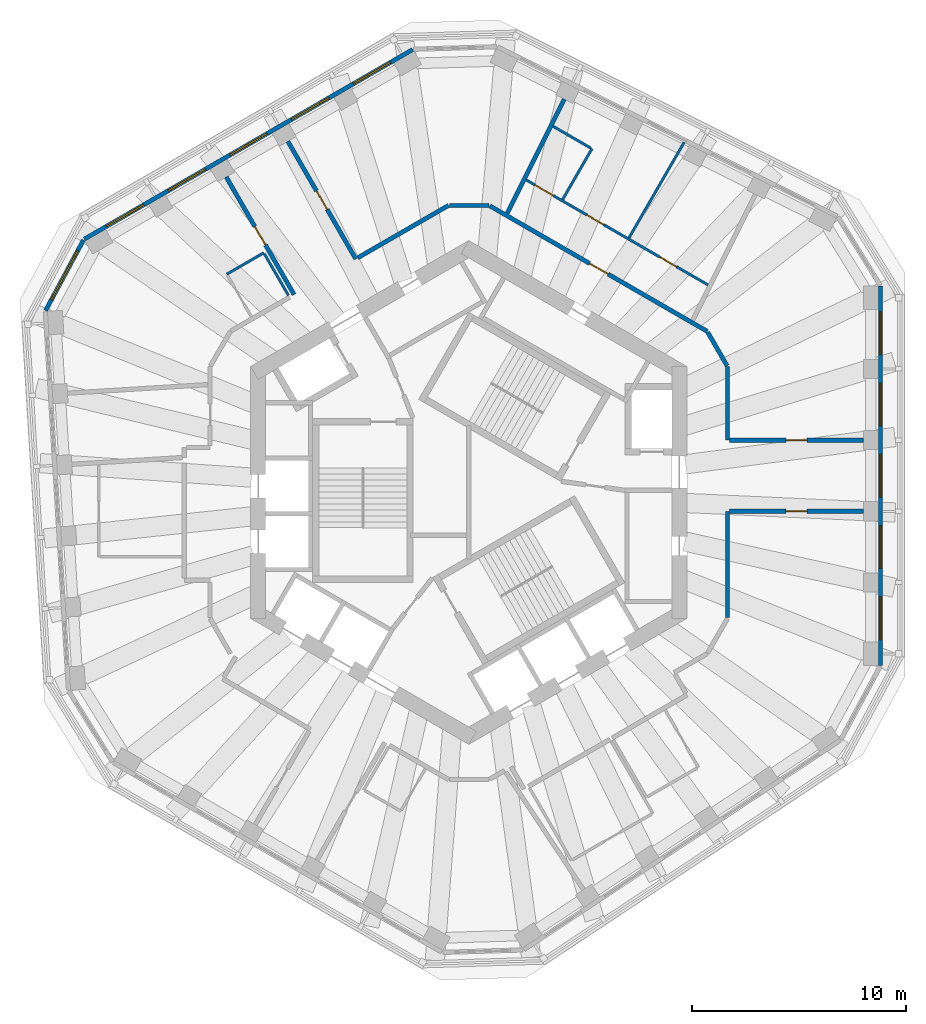
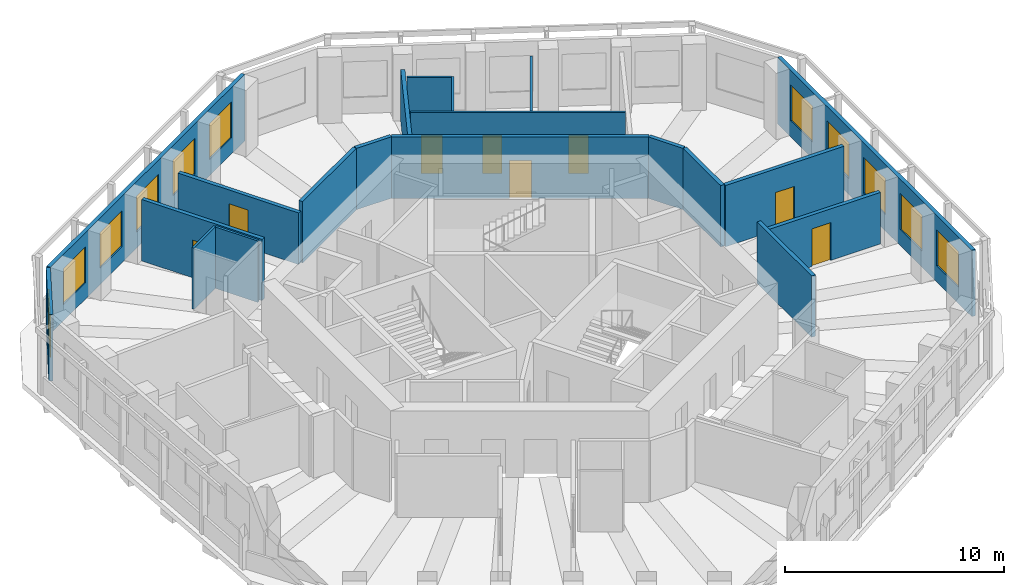
# One storey, part 7 of 11: 20 walls, 11 windows, 8 doors, 19 openings.
"""IFC4 building model written with IfcOpenShell, lengths in metres."""

from ifc_helpers import new_model, si_unit, direction, frame, frame_2d, origin, place, context, subcontext, project, spatial, rectangle, extrude, material, layer, layer_set, type_object, element, fill, save


model = new_model("IFC4")

# Units and contexts
model_context = context("Model", 3, precision=1e-05, world=origin(), true_north=direction((0.0, 1.0)))
body_context = subcontext(model_context, "Body", "Model", "MODEL_VIEW")
ifc_project = project(units=[si_unit("LENGTHUNIT", "METRE"), si_unit("AREAUNIT", "SQUARE_METRE"), si_unit("VOLUMEUNIT", "CUBIC_METRE"), si_unit("PLANEANGLEUNIT", "RADIAN"), si_unit("MASSUNIT", "GRAM", prefix="KILO")], contexts=[model_context])

# Site, building, storey
site_placement = place(None, origin())
site = spatial("IfcSite", under=ifc_project, at=site_placement, CompositionType="ELEMENT")
building_placement = place(site_placement, origin())
building = spatial("IfcBuilding", under=site, at=building_placement, Name="Vanh Sen Convention Tower", CompositionType="ELEMENT")
storey_placement = place(building_placement, frame((0.0, 0.0, 259.800048828125)))
storey = spatial("IfcBuildingStorey", under=building, at=storey_placement, Name="L64", CompositionType="ELEMENT", Elevation=259.800048828125)

# Walls
ifc_material_1 = material(Name="Moisture-resistant gypsum board on steel studs", Category="steel")
ifc_layer_1 = layer(ifc_material_1, 0.1201171875)
ifc_layer_set_1 = layer_set([ifc_layer_1], Name="Moisture-resistant gypsum board on steel studs")
wall_type_1 = type_object("IfcWallType", Name="Bathroom partition 120", PredefinedType="PARTITIONING", material=ifc_layer_set_1)
wall_1_placement = place(storey_placement, frame((-11.318603515625, 10.208251953125, 0.0), z_axis=(0.0, 0.0, 1.0), x_axis=(0.866010750942, 0.50002537861, 0.0)))
element("IfcWall", 1, at=wall_1_placement, inside=storey, type_object=wall_type_1, Name="Bathroom partition 120", PredefinedType="PARTITIONING", context=body_context, shape_type="SweptSolid", body=[
    extrude(rectangle(XDim=2.0, YDim=0.1201171875, at=frame_2d((1.0, 0.0))), origin(), (0.0, 0.0, 1.0), 3.419921875),
])
wall_2_placement = place(storey_placement, frame((-9.556640625, 11.15625, 0.0), z_axis=(0.0, 0.0, 1.0), x_axis=(0.49994888933, -0.866054910533, 0.0)))
element("IfcWall", 2, at=wall_2_placement, inside=storey, type_object=wall_type_1, Name="Bathroom partition 120", PredefinedType="PARTITIONING", context=body_context, shape_type="SweptSolid", body=[
    extrude(rectangle(XDim=2.239990234375, YDim=0.1201171875, at=frame_2d((1.1201171875, 0.0))), origin(), (0.0, 0.0, 1.0), 3.419921875),
])
wall_3_placement = place(storey_placement, frame((4.38818359375, 13.70166015625, 0.0), z_axis=(0.0, 0.0, 1.0), x_axis=(0.500048966069, 0.865997131366, 0.0)))
element("IfcWall", 3, at=wall_3_placement, inside=storey, type_object=wall_type_1, Name="Bathroom partition 120", PredefinedType="PARTITIONING", context=body_context, shape_type="SweptSolid", body=[
    extrude(rectangle(XDim=2.739990234375, YDim=0.1201171875, at=frame_2d((1.3701171875, 0.0))), origin(), (0.0, 0.0, 1.0), 3.419921875),
])
wall_4_placement = place(storey_placement, frame((5.706298828125, 16.1044921875, 0.0), z_axis=(0.0, 0.0, 1.0), x_axis=(-0.866040114423, 0.499974519561, 0.0)))
element("IfcWall", 4, at=wall_4_placement, inside=storey, type_object=wall_type_1, Name="Bathroom partition 120", PredefinedType="PARTITIONING", context=body_context, shape_type="SweptSolid", body=[
    extrude(rectangle(XDim=2.0400390625, YDim=0.1201171875, at=frame_2d((1.02001953125, 0.0))), origin(), (0.0, 0.0, 1.0), 3.419921875),
])
wall_5_placement = place(storey_placement, frame((10.07177734375, 16.376220703125, 0.0), z_axis=(0.0, 0.0, 1.0), x_axis=(-0.499972385701, -0.86604134632, 0.0)))
element("IfcWall", 5, at=wall_5_placement, inside=storey, type_object=wall_type_1, Name="Bathroom partition 120", PredefinedType="PARTITIONING", context=body_context, shape_type="SweptSolid", body=[
    extrude(rectangle(XDim=5.157958984375, YDim=0.1201171875, at=frame_2d((2.5791015625, 0.0))), origin(), (0.0, 0.0, 1.0), 2.869873046875),
])

# Wall, openings, doors
wall_6_placement = place(storey_placement, frame((11.186767578125, 9.707275390625, 0.0), z_axis=(0.0, 0.0, 1.0), x_axis=(-0.866033133531, 0.499986611447, 0.0)))
wall_6 = element("IfcWall", 6, at=wall_6_placement, inside=storey, type_object=wall_type_1, Name="Bathroom partition 120", PredefinedType="PARTITIONING", context=body_context, shape_type="SweptSolid", body=[
    extrude(rectangle(XDim=9.813720703125, YDim=0.1201171875, at=frame_2d((4.90673828125, 0.0))), origin(), (0.0, 0.0, 1.0), 3.419921875),
])
opening_1_placement = place(wall_6_placement, frame((8.34912109375, 0.0, 0.0)))
opening_1 = element("IfcOpeningElement", 7, at=opening_1_placement, cuts=wall_6, Name="Opening D64103", PredefinedType="OPENING", context=body_context, shape_type="SweptSolid", body=[
    extrude(rectangle(XDim=1.0, YDim=2.10009765625, at=frame_2d((0.5, 1.050048828125))), frame((0.0, 0.070068359375, 0.0), z_axis=(0.0, -1.0, 0.0), x_axis=(1.0, 0.0, 0.0)), (0.0, 0.0, 1.0), 0.14013671875),
])
opening_2_placement = place(wall_6_placement, frame((1.699951171875, 0.0, 0.0)))
opening_2 = element("IfcOpeningElement", 8, at=opening_2_placement, cuts=wall_6, Name="Opening D64104", PredefinedType="OPENING", context=body_context, shape_type="SweptSolid", body=[
    extrude(rectangle(XDim=0.89990234375, YDim=2.10009765625, at=frame_2d((0.449951171875, 1.050048828125))), frame((0.0, 0.070068359375, 0.0), z_axis=(0.0, -1.0, 0.0), x_axis=(1.0, 0.0, 0.0)), (0.0, 0.0, 1.0), 0.14013671875),
])
opening_3_placement = place(wall_6_placement, frame((5.642333984375, 0.0, 0.0)))
opening_3 = element("IfcOpeningElement", 9, at=opening_3_placement, cuts=wall_6, Name="Opening D64105", PredefinedType="OPENING", context=body_context, shape_type="SweptSolid", body=[
    extrude(rectangle(XDim=0.89990234375, YDim=2.10009765625, at=frame_2d((0.449951171875, 1.050048828125))), frame((0.0, 0.070068359375, 0.0), z_axis=(0.0, -1.0, 0.0), x_axis=(1.0, 0.0, 0.0)), (0.0, 0.0, 1.0), 0.14013671875),
])
ifc_material_2 = material(Name="Laminate door in steel frame", Category="steel")
door_type_1 = type_object("IfcDoorType", Name="Accessible WC door 1000", OperationType="SINGLE_SWING_LEFT", PredefinedType="DOOR", material=ifc_material_2)
door_1_placement = place(opening_1_placement, origin())
door_1 = element("IfcDoor", 10, at=door_1_placement, inside=storey, type_object=door_type_1, Name="Accessible WC door D64103", OperationType="SINGLE_SWING_LEFT", OverallHeight=2.10009765625, OverallWidth=1.0, PredefinedType="DOOR", context=body_context, shape_type="SweptSolid", body=[
    extrude(rectangle(XDim=1.0, YDim=2.10009765625, at=frame_2d((0.5, 1.050048828125))), frame((0.0, 0.02490234375, 0.0), z_axis=(0.0, -1.0, 0.0), x_axis=(1.0, 0.0, 0.0)), (0.0, 0.0, 1.0), 0.050048828125),
])
fill(opening_1, door_1)
door_type_2 = type_object("IfcDoorType", Name="Room internal door 900", OperationType="SINGLE_SWING_LEFT", PredefinedType="DOOR", material=ifc_material_2)
door_2_placement = place(opening_2_placement, origin())
door_2 = element("IfcDoor", 11, at=door_2_placement, inside=storey, type_object=door_type_2, Name="Internal room door D64104", OperationType="SINGLE_SWING_LEFT", OverallHeight=2.10009765625, OverallWidth=0.89990234375, PredefinedType="DOOR", context=body_context, shape_type="SweptSolid", body=[
    extrude(rectangle(XDim=0.89990234375, YDim=2.10009765625, at=frame_2d((0.449951171875, 1.050048828125))), frame((0.0, 0.02490234375, 0.0), z_axis=(0.0, -1.0, 0.0), x_axis=(1.0, 0.0, 0.0)), (0.0, 0.0, 1.0), 0.050048828125),
])
fill(opening_2, door_2)
door_3_placement = place(opening_3_placement, origin())
door_3 = element("IfcDoor", 12, at=door_3_placement, inside=storey, type_object=door_type_2, Name="Internal room door D64105", OperationType="SINGLE_SWING_LEFT", OverallHeight=2.10009765625, OverallWidth=0.89990234375, PredefinedType="DOOR", context=body_context, shape_type="SweptSolid", body=[
    extrude(rectangle(XDim=0.89990234375, YDim=2.10009765625, at=frame_2d((0.449951171875, 1.050048828125))), frame((0.0, 0.02490234375, 0.0), z_axis=(0.0, -1.0, 0.0), x_axis=(1.0, 0.0, 0.0)), (0.0, 0.0, 1.0), 0.050048828125),
])
fill(opening_3, door_3)

# Wall, opening, door
ifc_material_3 = material(Name="Gypsum board on steel studs with mineral wool", Category="steel")
ifc_layer_2 = layer(ifc_material_3, 0.199951171875)
ifc_layer_set_2 = layer_set([ifc_layer_2], Name="Gypsum board on steel studs with mineral wool")
wall_type_2 = type_object("IfcWallType", Name="Corridor partition wall 200", PredefinedType="PARTITIONING", material=ifc_layer_set_2)
wall_7_placement = place(storey_placement, frame((-11.34521484375, 14.754150390625, 0.0), z_axis=(0.0, 0.0, 1.0), x_axis=(0.500005339912, -0.866022320763, 0.0)))
wall_7 = element("IfcWall", 13, at=wall_7_placement, inside=storey, type_object=wall_type_2, Name="Corridor partition wall 200", PredefinedType="PARTITIONING", context=body_context, shape_type="SweptSolid", body=[
    extrude(rectangle(XDim=6.35009765625, YDim=0.199951171875, at=frame_2d((3.175048828125, 0.0))), origin(), (0.0, 0.0, 1.0), 3.419921875),
])
opening_4_placement = place(wall_7_placement, frame((2.675048828125, 0.0, 0.0)))
opening_4 = element("IfcOpeningElement", 14, at=opening_4_placement, cuts=wall_7, Name="Opening D64107", PredefinedType="OPENING", context=body_context, shape_type="SweptSolid", body=[
    extrude(rectangle(XDim=1.0, YDim=2.10009765625, at=frame_2d((0.5, 1.050048828125))), frame((0.0, 0.10986328125, 0.0), z_axis=(0.0, -1.0, 0.0), x_axis=(1.0, 0.0, 0.0)), (0.0, 0.0, 1.0), 0.219970703125),
])
ifc_material_4 = material(Name="Glazed fire door in steel frame", Category="steel")
door_type_3 = type_object("IfcDoorType", Name="Tenant entrance door 1000", OperationType="SINGLE_SWING_LEFT", PredefinedType="DOOR", material=ifc_material_4)
door_4_placement = place(opening_4_placement, origin())
door_4 = element("IfcDoor", 15, at=door_4_placement, inside=storey, type_object=door_type_3, Name="Tenant suite entrance door D64107", OperationType="SINGLE_SWING_LEFT", OverallHeight=2.10009765625, OverallWidth=1.0, PredefinedType="DOOR", context=body_context, shape_type="SweptSolid", body=[
    extrude(rectangle(XDim=1.0, YDim=2.10009765625, at=frame_2d((0.5, 1.050048828125))), frame((0.0, 0.02490234375, 0.0), z_axis=(0.0, -1.0, 0.0), x_axis=(1.0, 0.0, 0.0)), (0.0, 0.0, 1.0), 0.050048828125),
])
fill(opening_4, door_4)

wall_8_placement = place(storey_placement, frame((-8.4599609375, 16.419921875, 0.0), z_axis=(0.0, 0.0, 1.0), x_axis=(0.500005339912, -0.866022320763, 0.0)))
wall_8 = element("IfcWall", 16, at=wall_8_placement, inside=storey, type_object=wall_type_2, Name="Corridor partition wall 200", PredefinedType="PARTITIONING", context=body_context, shape_type="SweptSolid", body=[
    extrude(rectangle(XDim=6.35009765625, YDim=0.199951171875, at=frame_2d((3.175048828125, 0.0))), origin(), (0.0, 0.0, 1.0), 2.869873046875),
])
opening_5_placement = place(wall_8_placement, frame((2.675048828125, 0.0, 0.0)))
opening_5 = element("IfcOpeningElement", 17, at=opening_5_placement, cuts=wall_8, Name="Opening D64106", PredefinedType="OPENING", context=body_context, shape_type="SweptSolid", body=[
    extrude(rectangle(XDim=1.0, YDim=2.10009765625, at=frame_2d((0.5, 1.050048828125))), frame((0.0, 0.10986328125, 0.0), z_axis=(0.0, -1.0, 0.0), x_axis=(1.0, 0.0, 0.0)), (0.0, 0.0, 1.0), 0.219970703125),
])
ifc_material_5 = material(Name="Timber fire door in steel frame", Category="steel")
door_type_4 = type_object("IfcDoorType", Name="Floor room door 1000", OperationType="SINGLE_SWING_LEFT", PredefinedType="DOOR", material=ifc_material_5)
door_5_placement = place(opening_5_placement, origin())
door_5 = element("IfcDoor", 18, at=door_5_placement, inside=storey, type_object=door_type_4, Name="Meeting and amenity room door D64106", OperationType="SINGLE_SWING_LEFT", OverallHeight=2.10009765625, OverallWidth=1.0, PredefinedType="DOOR", context=body_context, shape_type="SweptSolid", body=[
    extrude(rectangle(XDim=1.0, YDim=2.10009765625, at=frame_2d((0.5, 1.050048828125))), frame((0.0, 0.02490234375, 0.0), z_axis=(0.0, -1.0, 0.0), x_axis=(1.0, 0.0, 0.0)), (0.0, 0.0, 1.0), 0.050048828125),
])
fill(opening_5, door_5)

# Walls
wall_9_placement = place(storey_placement, frame((-0.949951171875, 13.42333984375, 0.0), z_axis=(0.0, 0.0, 1.0), x_axis=(-0.86603557629, -0.499982380289, 0.0)))
element("IfcWall", 19, at=wall_9_placement, inside=storey, type_object=wall_type_2, Name="Corridor partition wall 200", PredefinedType="PARTITIONING", context=body_context, shape_type="SweptSolid", body=[
    extrude(rectangle(XDim=4.905517578125, YDim=0.199951171875, at=frame_2d((2.45263671875, 0.0))), origin(), (0.0, 0.0, 1.0), 3.419921875),
])
wall_10_placement = place(storey_placement, frame((0.949951171875, 13.42333984375, 0.0), z_axis=(0.0, 0.0, 1.0), x_axis=(-1.0, 0.0, 0.0)))
element("IfcWall", 20, at=wall_10_placement, inside=storey, type_object=wall_type_2, Name="Corridor partition wall 200", PredefinedType="PARTITIONING", context=body_context, shape_type="SweptSolid", body=[
    extrude(rectangle(XDim=1.85986328125, YDim=0.199951171875, at=frame_2d((0.929931640625, 0.0))), origin(), (0.0, 0.0, 1.0), 3.419921875),
])

# Wall, opening, door
wall_11_placement = place(storey_placement, frame((11.14990234375, 7.534423828125, 0.0), z_axis=(0.0, 0.0, 1.0), x_axis=(-0.866026603062, 0.499997922785, 0.0)))
wall_11 = element("IfcWall", 21, at=wall_11_placement, inside=storey, type_object=wall_type_2, Name="Corridor partition wall 200", PredefinedType="PARTITIONING", context=body_context, shape_type="SweptSolid", body=[
    extrude(rectangle(XDim=11.73779296875, YDim=0.199951171875, at=frame_2d((5.868896484375, 0.0))), origin(), (0.0, 0.0, 1.0), 3.419921875),
])
opening_6_placement = place(wall_11_placement, frame((5.34521484375, 0.0, 0.0)))
opening_6 = element("IfcOpeningElement", 22, at=opening_6_placement, cuts=wall_11, Name="Opening D64102", PredefinedType="OPENING", context=body_context, shape_type="SweptSolid", body=[
    extrude(rectangle(XDim=1.0, YDim=2.10009765625, at=frame_2d((0.5, 1.050048828125))), frame((0.0, 0.10986328125, 0.0), z_axis=(0.0, -1.0, 0.0), x_axis=(1.0, 0.0, 0.0)), (0.0, 0.0, 1.0), 0.219970703125),
])
door_6_placement = place(opening_6_placement, origin())
door_6 = element("IfcDoor", 23, at=door_6_placement, inside=storey, type_object=door_type_4, Name="Meeting and amenity room door D64102", OperationType="SINGLE_SWING_LEFT", OverallHeight=2.10009765625, OverallWidth=1.0, PredefinedType="DOOR", context=body_context, shape_type="SweptSolid", body=[
    extrude(rectangle(XDim=1.0, YDim=2.10009765625, at=frame_2d((0.5, 1.050048828125))), frame((0.0, 0.02490234375, 0.0), z_axis=(0.0, -1.0, 0.0), x_axis=(1.0, 0.0, 0.0)), (0.0, 0.0, 1.0), 0.050048828125),
])
fill(opening_6, door_6)

# Walls
wall_12_placement = place(storey_placement, frame((12.080078125, 5.923583984375, 0.0), z_axis=(0.0, 0.0, 1.0), x_axis=(-0.500004960326, 0.86602253992, 0.0)))
element("IfcWall", 24, at=wall_12_placement, inside=storey, type_object=wall_type_2, Name="Corridor partition wall 200", PredefinedType="PARTITIONING", context=body_context, shape_type="SweptSolid", body=[
    extrude(rectangle(XDim=1.8203125, YDim=0.199951171875, at=frame_2d((0.91015625, 0.0))), origin(), (0.0, 0.0, 1.0), 3.419921875),
])
wall_13_placement = place(storey_placement, frame((12.10009765625, -5.84912109375, 0.0), z_axis=(0.0, 0.0, 1.0), x_axis=(0.0, 1.0, 0.0)))
element("IfcWall", 25, at=wall_13_placement, inside=storey, type_object=wall_type_2, Name="Corridor partition wall 200", PredefinedType="PARTITIONING", context=body_context, shape_type="SweptSolid", body=[
    extrude(rectangle(XDim=4.9658203125, YDim=0.199951171875, at=frame_2d((2.48291015625, 0.0))), origin(), (0.0, 0.0, 1.0), 3.419921875),
])
wall_14_placement = place(storey_placement, frame((12.10009765625, 2.4482421875, 0.0), z_axis=(0.0, 0.0, 1.0), x_axis=(0.0, 1.0, 0.0)))
element("IfcWall", 26, at=wall_14_placement, inside=storey, type_object=wall_type_2, Name="Corridor partition wall 200", PredefinedType="PARTITIONING", context=body_context, shape_type="SweptSolid", body=[
    extrude(rectangle(XDim=3.440673828125, YDim=0.199951171875, at=frame_2d((1.72021484375, 0.0))), origin(), (0.0, 0.0, 1.0), 3.419921875),
])

# Wall, opening, door
wall_15_placement = place(storey_placement, frame((12.199951171875, -0.88330078125, 0.0), z_axis=(0.0, 0.0, 1.0), x_axis=(1.0, 0.0, 0.0)))
wall_15 = element("IfcWall", 27, at=wall_15_placement, inside=storey, type_object=wall_type_2, Name="Corridor partition wall 200", PredefinedType="PARTITIONING", context=body_context, shape_type="SweptSolid", body=[
    extrude(rectangle(XDim=6.25, YDim=0.199951171875, at=frame_2d((3.125, 0.0))), origin(), (0.0, 0.0, 1.0), 2.869873046875),
])
opening_7_placement = place(wall_15_placement, frame((2.625, 0.0, 0.0)))
opening_7 = element("IfcOpeningElement", 28, at=opening_7_placement, cuts=wall_15, Name="Opening D64114", PredefinedType="OPENING", context=body_context, shape_type="SweptSolid", body=[
    extrude(rectangle(XDim=1.0, YDim=2.10009765625, at=frame_2d((0.5, 1.050048828125))), frame((0.0, 0.10986328125, 0.0), z_axis=(0.0, -1.0, 0.0), x_axis=(1.0, 0.0, 0.0)), (0.0, 0.0, 1.0), 0.219970703125),
])
door_7_placement = place(opening_7_placement, origin())
door_7 = element("IfcDoor", 29, at=door_7_placement, inside=storey, type_object=door_type_3, Name="Tenant suite entrance door D64114", OperationType="SINGLE_SWING_LEFT", OverallHeight=2.10009765625, OverallWidth=1.0, PredefinedType="DOOR", context=body_context, shape_type="SweptSolid", body=[
    extrude(rectangle(XDim=1.0, YDim=2.10009765625, at=frame_2d((0.5, 1.050048828125))), frame((0.0, 0.02490234375, 0.0), z_axis=(0.0, -1.0, 0.0), x_axis=(1.0, 0.0, 0.0)), (0.0, 0.0, 1.0), 0.050048828125),
])
fill(opening_7, door_7)

wall_16_placement = place(storey_placement, frame((18.449951171875, 2.4482421875, 0.0), z_axis=(0.0, 0.0, 1.0), x_axis=(-1.0, 0.0, 0.0)))
wall_16 = element("IfcWall", 30, at=wall_16_placement, inside=storey, type_object=wall_type_2, Name="Corridor partition wall 200", PredefinedType="PARTITIONING", context=body_context, shape_type="SweptSolid", body=[
    extrude(rectangle(XDim=6.25, YDim=0.199951171875, at=frame_2d((3.125, 0.0))), origin(), (0.0, 0.0, 1.0), 3.419921875),
])
opening_8_placement = place(wall_16_placement, frame((2.625, 0.0, 0.0)))
opening_8 = element("IfcOpeningElement", 31, at=opening_8_placement, cuts=wall_16, Name="Opening D64101", PredefinedType="OPENING", context=body_context, shape_type="SweptSolid", body=[
    extrude(rectangle(XDim=1.0, YDim=2.10009765625, at=frame_2d((0.5, 1.050048828125))), frame((0.0, 0.10986328125, 0.0), z_axis=(0.0, -1.0, 0.0), x_axis=(1.0, 0.0, 0.0)), (0.0, 0.0, 1.0), 0.219970703125),
])
door_8_placement = place(opening_8_placement, origin())
door_8 = element("IfcDoor", 32, at=door_8_placement, inside=storey, type_object=door_type_4, Name="Meeting and amenity room door D64101", OperationType="SINGLE_SWING_LEFT", OverallHeight=2.10009765625, OverallWidth=1.0, PredefinedType="DOOR", context=body_context, shape_type="SweptSolid", body=[
    extrude(rectangle(XDim=1.0, YDim=2.10009765625, at=frame_2d((0.5, 1.050048828125))), frame((0.0, 0.02490234375, 0.0), z_axis=(0.0, -1.0, 0.0), x_axis=(1.0, 0.0, 0.0)), (0.0, 0.0, 1.0), 0.050048828125),
])
fill(opening_8, door_8)

# Wall, openings, windows
ifc_material_6 = material(Name="Insulated lightweight infill wall")
ifc_layer_3 = layer(ifc_material_6, 0.199951171875)
ifc_layer_set_3 = layer_set([ifc_layer_3], Name="Insulated lightweight infill wall")
wall_type_3 = type_object("IfcWallType", Name="External wall 200", PredefinedType="STANDARD", material=ifc_layer_set_3)
wall_17_placement = place(storey_placement, frame((19.25, -8.083984375, 0.0), z_axis=(0.0, 0.0, 1.0), x_axis=(0.0, 1.0, 0.0)))
wall_17 = element("IfcWall", 33, at=wall_17_placement, inside=storey, type_object=wall_type_3, Name="External wall E L64", PredefinedType="STANDARD", context=body_context, shape_type="SweptSolid", body=[
    extrude(rectangle(XDim=17.731201171875, YDim=0.199951171875, at=frame_2d((8.86572265625, 0.0))), origin(), (0.0, 0.0, 1.0), 3.699951171875),
])
opening_9_placement = place(wall_17_placement, frame((1.203125, 0.0, 0.89990234375)))
opening_9 = element("IfcOpeningElement", 34, at=opening_9_placement, cuts=wall_17, Name="Opening WO5-E1", PredefinedType="OPENING", context=body_context, shape_type="SweptSolid", body=[
    extrude(rectangle(XDim=2.0, YDim=2.0, at=frame_2d((1.0, 1.0))), frame((0.0, 0.10986328125, 0.0), z_axis=(0.0, -1.0, 0.0), x_axis=(1.0, 0.0, 0.0)), (0.0, 0.0, 1.0), 0.219970703125),
])
opening_10_placement = place(wall_17_placement, frame((4.534912109375, 0.0, 0.89990234375)))
opening_10 = element("IfcOpeningElement", 35, at=opening_10_placement, cuts=wall_17, Name="Opening WO5-E2", PredefinedType="OPENING", context=body_context, shape_type="SweptSolid", body=[
    extrude(rectangle(XDim=2.0, YDim=2.0, at=frame_2d((1.0, 1.0))), frame((0.0, 0.10986328125, 0.0), z_axis=(0.0, -1.0, 0.0), x_axis=(1.0, 0.0, 0.0)), (0.0, 0.0, 1.0), 0.219970703125),
])
opening_11_placement = place(wall_17_placement, frame((7.866455078125, 0.0, 0.89990234375)))
opening_11 = element("IfcOpeningElement", 36, at=opening_11_placement, cuts=wall_17, Name="Opening WO5-E3", PredefinedType="OPENING", context=body_context, shape_type="SweptSolid", body=[
    extrude(rectangle(XDim=2.0, YDim=2.0, at=frame_2d((1.0, 1.0))), frame((0.0, 0.10986328125, 0.0), z_axis=(0.0, -1.0, 0.0), x_axis=(1.0, 0.0, 0.0)), (0.0, 0.0, 1.0), 0.219970703125),
])
opening_12_placement = place(wall_17_placement, frame((11.197998046875, 0.0, 0.89990234375)))
opening_12 = element("IfcOpeningElement", 37, at=opening_12_placement, cuts=wall_17, Name="Opening WO5-E4", PredefinedType="OPENING", context=body_context, shape_type="SweptSolid", body=[
    extrude(rectangle(XDim=2.0, YDim=2.0, at=frame_2d((1.0, 1.0))), frame((0.0, 0.10986328125, 0.0), z_axis=(0.0, -1.0, 0.0), x_axis=(1.0, 0.0, 0.0)), (0.0, 0.0, 1.0), 0.219970703125),
])
opening_13_placement = place(wall_17_placement, frame((14.52978515625, 0.0, 0.89990234375)))
opening_13 = element("IfcOpeningElement", 38, at=opening_13_placement, cuts=wall_17, Name="Opening WO5-E5", PredefinedType="OPENING", context=body_context, shape_type="SweptSolid", body=[
    extrude(rectangle(XDim=2.0, YDim=2.0, at=frame_2d((1.0, 1.0))), frame((0.0, 0.10986328125, 0.0), z_axis=(0.0, -1.0, 0.0), x_axis=(1.0, 0.0, 0.0)), (0.0, 0.0, 1.0), 0.219970703125),
])
ifc_material_7 = material(Name="Aluminium frame with clear low-emissivity glass", Category="aluminium")
window_type_1 = type_object("IfcWindowType", Name="Office window 2000 x 2000", PartitioningType="SINGLE_PANEL", PredefinedType="WINDOW", material=ifc_material_7)
window_1_placement = place(opening_9_placement, origin())
window_1 = element("IfcWindow", 39, at=window_1_placement, inside=storey, type_object=window_type_1, Name="Window WO5-E1", OverallHeight=2.0, OverallWidth=2.0, PartitioningType="SINGLE_PANEL", PredefinedType="WINDOW", context=body_context, shape_type="SweptSolid", body=[
    extrude(rectangle(XDim=2.0, YDim=2.0, at=frame_2d((1.0, 1.0))), frame((0.0, 0.030029296875, 0.0), z_axis=(0.0, -1.0, 0.0), x_axis=(1.0, 0.0, 0.0)), (0.0, 0.0, 1.0), 0.06005859375),
])
fill(opening_9, window_1)
window_2_placement = place(opening_10_placement, origin())
window_2 = element("IfcWindow", 40, at=window_2_placement, inside=storey, type_object=window_type_1, Name="Window WO5-E2", OverallHeight=2.0, OverallWidth=2.0, PartitioningType="SINGLE_PANEL", PredefinedType="WINDOW", context=body_context, shape_type="SweptSolid", body=[
    extrude(rectangle(XDim=2.0, YDim=2.0, at=frame_2d((1.0, 1.0))), frame((0.0, 0.030029296875, 0.0), z_axis=(0.0, -1.0, 0.0), x_axis=(1.0, 0.0, 0.0)), (0.0, 0.0, 1.0), 0.06005859375),
])
fill(opening_10, window_2)
window_3_placement = place(opening_11_placement, origin())
window_3 = element("IfcWindow", 41, at=window_3_placement, inside=storey, type_object=window_type_1, Name="Window WO5-E3", OverallHeight=2.0, OverallWidth=2.0, PartitioningType="SINGLE_PANEL", PredefinedType="WINDOW", context=body_context, shape_type="SweptSolid", body=[
    extrude(rectangle(XDim=2.0, YDim=2.0, at=frame_2d((1.0, 1.0))), frame((0.0, 0.030029296875, 0.0), z_axis=(0.0, -1.0, 0.0), x_axis=(1.0, 0.0, 0.0)), (0.0, 0.0, 1.0), 0.06005859375),
])
fill(opening_11, window_3)
window_4_placement = place(opening_12_placement, origin())
window_4 = element("IfcWindow", 42, at=window_4_placement, inside=storey, type_object=window_type_1, Name="Window WO5-E4", OverallHeight=2.0, OverallWidth=2.0, PartitioningType="SINGLE_PANEL", PredefinedType="WINDOW", context=body_context, shape_type="SweptSolid", body=[
    extrude(rectangle(XDim=2.0, YDim=2.0, at=frame_2d((1.0, 1.0))), frame((0.0, 0.030029296875, 0.0), z_axis=(0.0, -1.0, 0.0), x_axis=(1.0, 0.0, 0.0)), (0.0, 0.0, 1.0), 0.06005859375),
])
fill(opening_12, window_4)
window_5_placement = place(opening_13_placement, origin())
window_5 = element("IfcWindow", 43, at=window_5_placement, inside=storey, type_object=window_type_1, Name="Window WO5-E5", OverallHeight=2.0, OverallWidth=2.0, PartitioningType="SINGLE_PANEL", PredefinedType="WINDOW", context=body_context, shape_type="SweptSolid", body=[
    extrude(rectangle(XDim=2.0, YDim=2.0, at=frame_2d((1.0, 1.0))), frame((0.0, 0.030029296875, 0.0), z_axis=(0.0, -1.0, 0.0), x_axis=(1.0, 0.0, 0.0)), (0.0, 0.0, 1.0), 0.06005859375),
])
fill(opening_13, window_5)

wall_18_placement = place(storey_placement, frame((-2.623779296875, 20.713134765625, 0.0), z_axis=(0.0, 0.0, 1.0), x_axis=(-0.866026460444, -0.499998169808, 0.0)))
wall_18 = element("IfcWall", 44, at=wall_18_placement, inside=storey, type_object=wall_type_3, Name="External wall NW L64", PredefinedType="STANDARD", context=body_context, shape_type="SweptSolid", body=[
    extrude(rectangle(XDim=17.7314453125, YDim=0.199951171875, at=frame_2d((8.86572265625, 0.0))), origin(), (0.0, 0.0, 1.0), 3.699951171875),
])
opening_14_placement = place(wall_18_placement, frame((1.203125, 0.0, 0.89990234375)))
opening_14 = element("IfcOpeningElement", 45, at=opening_14_placement, cuts=wall_18, Name="Opening WO5-NW1", PredefinedType="OPENING", context=body_context, shape_type="SweptSolid", body=[
    extrude(rectangle(XDim=2.0, YDim=2.0, at=frame_2d((1.0, 1.0))), frame((0.0, 0.10986328125, 0.0), z_axis=(0.0, -1.0, 0.0), x_axis=(1.0, 0.0, 0.0)), (0.0, 0.0, 1.0), 0.219970703125),
])
opening_15_placement = place(wall_18_placement, frame((4.534912109375, 0.0, 0.89990234375)))
opening_15 = element("IfcOpeningElement", 46, at=opening_15_placement, cuts=wall_18, Name="Opening WO5-NW2", PredefinedType="OPENING", context=body_context, shape_type="SweptSolid", body=[
    extrude(rectangle(XDim=2.0, YDim=2.0, at=frame_2d((1.0, 1.0))), frame((0.0, 0.10986328125, 0.0), z_axis=(0.0, -1.0, 0.0), x_axis=(1.0, 0.0, 0.0)), (0.0, 0.0, 1.0), 0.219970703125),
])
opening_16_placement = place(wall_18_placement, frame((7.86669921875, 0.0, 0.89990234375)))
opening_16 = element("IfcOpeningElement", 47, at=opening_16_placement, cuts=wall_18, Name="Opening WO5-NW3", PredefinedType="OPENING", context=body_context, shape_type="SweptSolid", body=[
    extrude(rectangle(XDim=2.0, YDim=2.0, at=frame_2d((1.0, 1.0))), frame((0.0, 0.10986328125, 0.0), z_axis=(0.0, -1.0, 0.0), x_axis=(1.0, 0.0, 0.0)), (0.0, 0.0, 1.0), 0.219970703125),
])
opening_17_placement = place(wall_18_placement, frame((11.1982421875, 0.0, 0.89990234375)))
opening_17 = element("IfcOpeningElement", 48, at=opening_17_placement, cuts=wall_18, Name="Opening WO5-NW4", PredefinedType="OPENING", context=body_context, shape_type="SweptSolid", body=[
    extrude(rectangle(XDim=2.0, YDim=2.0, at=frame_2d((1.0, 1.0))), frame((0.0, 0.10986328125, 0.0), z_axis=(0.0, -1.0, 0.0), x_axis=(1.0, 0.0, 0.0)), (0.0, 0.0, 1.0), 0.219970703125),
])
opening_18_placement = place(wall_18_placement, frame((14.52978515625, 0.0, 0.89990234375)))
opening_18 = element("IfcOpeningElement", 49, at=opening_18_placement, cuts=wall_18, Name="Opening WO5-NW5", PredefinedType="OPENING", context=body_context, shape_type="SweptSolid", body=[
    extrude(rectangle(XDim=2.0, YDim=2.0, at=frame_2d((1.0, 1.0))), frame((0.0, 0.10986328125, 0.0), z_axis=(0.0, -1.0, 0.0), x_axis=(1.0, 0.0, 0.0)), (0.0, 0.0, 1.0), 0.219970703125),
])
window_6_placement = place(opening_14_placement, origin())
window_6 = element("IfcWindow", 50, at=window_6_placement, inside=storey, type_object=window_type_1, Name="Window WO5-NW1", OverallHeight=2.0, OverallWidth=2.0, PartitioningType="SINGLE_PANEL", PredefinedType="WINDOW", context=body_context, shape_type="SweptSolid", body=[
    extrude(rectangle(XDim=2.0, YDim=2.0, at=frame_2d((1.0, 1.0))), frame((0.0, 0.030029296875, 0.0), z_axis=(0.0, -1.0, 0.0), x_axis=(1.0, 0.0, 0.0)), (0.0, 0.0, 1.0), 0.06005859375),
])
fill(opening_14, window_6)
window_7_placement = place(opening_15_placement, origin())
window_7 = element("IfcWindow", 51, at=window_7_placement, inside=storey, type_object=window_type_1, Name="Window WO5-NW2", OverallHeight=2.0, OverallWidth=2.0, PartitioningType="SINGLE_PANEL", PredefinedType="WINDOW", context=body_context, shape_type="SweptSolid", body=[
    extrude(rectangle(XDim=2.0, YDim=2.0, at=frame_2d((1.0, 1.0))), frame((0.0, 0.030029296875, 0.0), z_axis=(0.0, -1.0, 0.0), x_axis=(1.0, 0.0, 0.0)), (0.0, 0.0, 1.0), 0.06005859375),
])
fill(opening_15, window_7)
window_8_placement = place(opening_16_placement, origin())
window_8 = element("IfcWindow", 52, at=window_8_placement, inside=storey, type_object=window_type_1, Name="Window WO5-NW3", OverallHeight=2.0, OverallWidth=2.0, PartitioningType="SINGLE_PANEL", PredefinedType="WINDOW", context=body_context, shape_type="SweptSolid", body=[
    extrude(rectangle(XDim=2.0, YDim=2.0, at=frame_2d((1.0, 1.0))), frame((0.0, 0.030029296875, 0.0), z_axis=(0.0, -1.0, 0.0), x_axis=(1.0, 0.0, 0.0)), (0.0, 0.0, 1.0), 0.06005859375),
])
fill(opening_16, window_8)
window_9_placement = place(opening_17_placement, origin())
window_9 = element("IfcWindow", 53, at=window_9_placement, inside=storey, type_object=window_type_1, Name="Window WO5-NW4", OverallHeight=2.0, OverallWidth=2.0, PartitioningType="SINGLE_PANEL", PredefinedType="WINDOW", context=body_context, shape_type="SweptSolid", body=[
    extrude(rectangle(XDim=2.0, YDim=2.0, at=frame_2d((1.0, 1.0))), frame((0.0, 0.030029296875, 0.0), z_axis=(0.0, -1.0, 0.0), x_axis=(1.0, 0.0, 0.0)), (0.0, 0.0, 1.0), 0.06005859375),
])
fill(opening_17, window_9)
window_10_placement = place(opening_18_placement, origin())
window_10 = element("IfcWindow", 54, at=window_10_placement, inside=storey, type_object=window_type_1, Name="Window WO5-NW5", OverallHeight=2.0, OverallWidth=2.0, PartitioningType="SINGLE_PANEL", PredefinedType="WINDOW", context=body_context, shape_type="SweptSolid", body=[
    extrude(rectangle(XDim=2.0, YDim=2.0, at=frame_2d((1.0, 1.0))), frame((0.0, 0.030029296875, 0.0), z_axis=(0.0, -1.0, 0.0), x_axis=(1.0, 0.0, 0.0)), (0.0, 0.0, 1.0), 0.06005859375),
])
fill(opening_18, window_10)

# Wall, opening, window
wall_19_placement = place(storey_placement, frame((-18.017822265625, 11.80810546875, 0.0), z_axis=(0.0, 0.0, 1.0), x_axis=(-0.473318619185, -0.880891301315, 0.0)))
wall_19 = element("IfcWall", 55, at=wall_19_placement, inside=storey, type_object=wall_type_3, Name="External wall CH3 L64", PredefinedType="STANDARD", context=body_context, shape_type="SweptSolid", body=[
    extrude(rectangle(XDim=3.746826171875, YDim=0.199951171875, at=frame_2d((1.87353515625, 0.0))), origin(), (0.0, 0.0, 1.0), 3.699951171875),
])
opening_19_placement = place(wall_19_placement, frame((0.5732421875, 0.0, 0.89990234375)))
opening_19 = element("IfcOpeningElement", 56, at=opening_19_placement, cuts=wall_19, Name="Opening WO6-CH31", PredefinedType="OPENING", context=body_context, shape_type="SweptSolid", body=[
    extrude(rectangle(XDim=2.60009765625, YDim=2.0, at=frame_2d((1.300048828125, 1.0))), frame((0.0, 0.10986328125, 0.0), z_axis=(0.0, -1.0, 0.0), x_axis=(1.0, 0.0, 0.0)), (0.0, 0.0, 1.0), 0.219970703125),
])
window_type_2 = type_object("IfcWindowType", Name="Office window 2600 x 2000", PartitioningType="SINGLE_PANEL", PredefinedType="WINDOW", material=ifc_material_7)
window_11_placement = place(opening_19_placement, origin())
window_11 = element("IfcWindow", 57, at=window_11_placement, inside=storey, type_object=window_type_2, Name="Window WO6-CH31", OverallHeight=2.0, OverallWidth=2.60009765625, PartitioningType="SINGLE_PANEL", PredefinedType="WINDOW", context=body_context, shape_type="SweptSolid", body=[
    extrude(rectangle(XDim=2.60009765625, YDim=2.0, at=frame_2d((1.300048828125, 1.0))), frame((0.0, 0.030029296875, 0.0), z_axis=(0.0, -1.0, 0.0), x_axis=(1.0, 0.0, 0.0)), (0.0, 0.0, 1.0), 0.06005859375),
])
fill(opening_19, window_11)

# Wall
ifc_layer_4 = layer(ifc_material_3, 0.199951171875)
ifc_layer_set_4 = layer_set([ifc_layer_4], Name="Gypsum board on steel studs with mineral wool")
wall_type_4 = type_object("IfcWallType", Name="Tenant suite wall 200", PredefinedType="PARTITIONING", material=ifc_layer_set_4)
wall_20_placement = place(storey_placement, frame((4.460205078125, 18.392333984375, 0.0), z_axis=(0.0, 0.0, 1.0), x_axis=(-0.446197360024, -0.894934587502, 0.0)))
element("IfcWall", 58, at=wall_20_placement, inside=storey, type_object=wall_type_4, Name="Tenant suite wall 200", PredefinedType="PARTITIONING", context=body_context, shape_type="SweptSolid", body=[
    extrude(rectangle(XDim=5.959716796875, YDim=0.199951171875, at=frame_2d((2.97998046875, 0.0))), origin(), (0.0, 0.0, 1.0), 2.869873046875),
])

save(model, "model.ifc")
